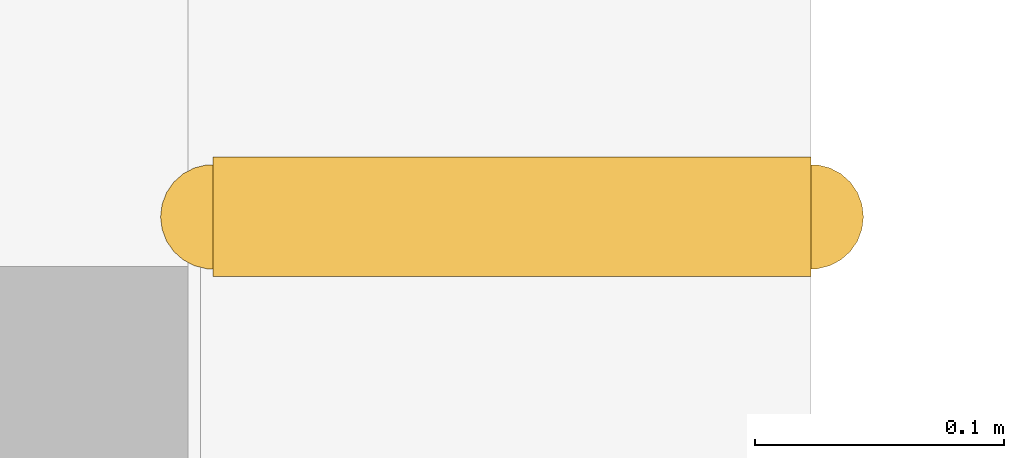
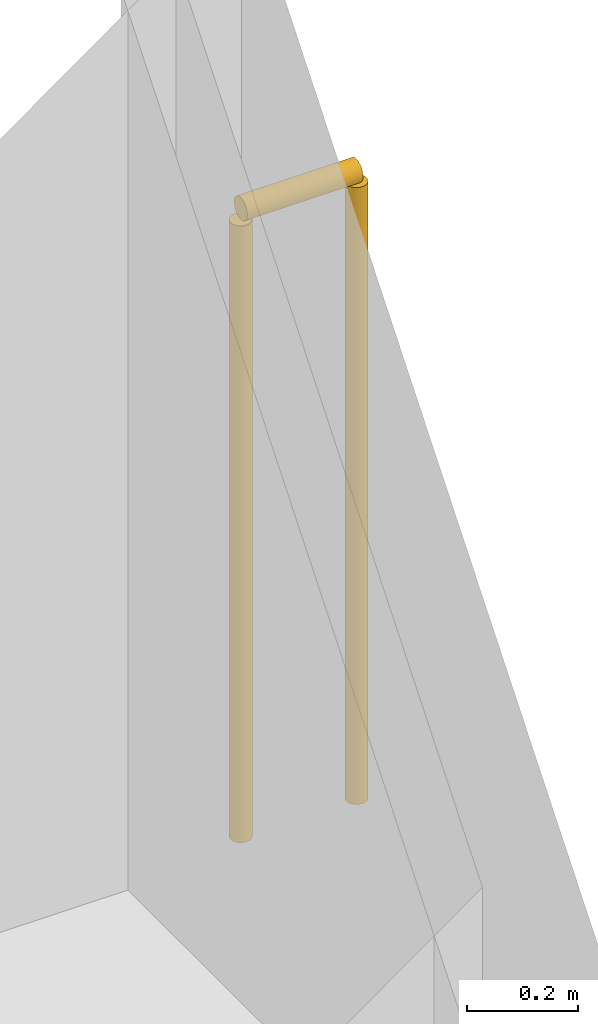
# One storey, part 19 of 19: 1 railing.
"""IFC4 building model written with IfcOpenShell, lengths in metres."""

from ifc_helpers import new_model, si_unit, direction, frame, origin, origin_2d, place, context, subcontext, project, spatial, circle, extrude, material, type_object, element, save


model = new_model("IFC4")

# Units and contexts
model_context = context("Model", 3, precision=1e-05, world=origin(), true_north=direction((0.0, 1.0)))
body_context = subcontext(model_context, "Body", "Model", "MODEL_VIEW")
ifc_project = project(units=[si_unit("LENGTHUNIT", "METRE"), si_unit("AREAUNIT", "SQUARE_METRE"), si_unit("VOLUMEUNIT", "CUBIC_METRE"), si_unit("PLANEANGLEUNIT", "RADIAN"), si_unit("MASSUNIT", "GRAM", prefix="KILO")], contexts=[model_context])

# Site, building, storey
site_placement = place(None, origin())
site = spatial("IfcSite", under=ifc_project, at=site_placement, CompositionType="ELEMENT")
building_placement = place(site_placement, origin())
building = spatial("IfcBuilding", under=site, at=building_placement, Name="Cleftline Residences", CompositionType="ELEMENT")
storey_placement = place(building_placement, frame((0.0, 0.0, 11.0)))
storey = spatial("IfcBuildingStorey", under=building, at=storey_placement, Name="L02", CompositionType="ELEMENT", Elevation=11.0)

# Railing
ifc_material = material(Name="Stainless steel and laminated glass", Category="steel")
railing_type = type_object("IfcRailingType", Name="TERRACE GUARD 1400", PredefinedType="GUARDRAIL", material=ifc_material)
railing_placement = place(storey_placement, frame((74.7099609375, 56.594970703125, 0.0)))
element("IfcRailing", 1, at=railing_placement, inside=storey, type_object=railing_type, Name="Terrace guard", PredefinedType="GUARDRAIL", context=body_context, shape_type="SweptSolid", body=[
    extrude(circle(Radius=0.02392578125, at=origin_2d()), frame((0.0, 0.0, 1.3759765625), z_axis=(1.0, 0.0, 0.0), x_axis=(0.0, 1.0, 0.0)), (0.0, 0.0, 1.0), 0.239990234375),
    extrude(circle(Radius=0.02099609375, at=origin_2d()), origin(), (0.0, 0.0, 1.0), 1.351806640625),
    extrude(circle(Radius=0.02099609375, at=origin_2d()), frame((0.239990234375, 0.0, 0.0)), (0.0, 0.0, 1.0), 1.351806640625),
])

save(model, "model.ifc")
